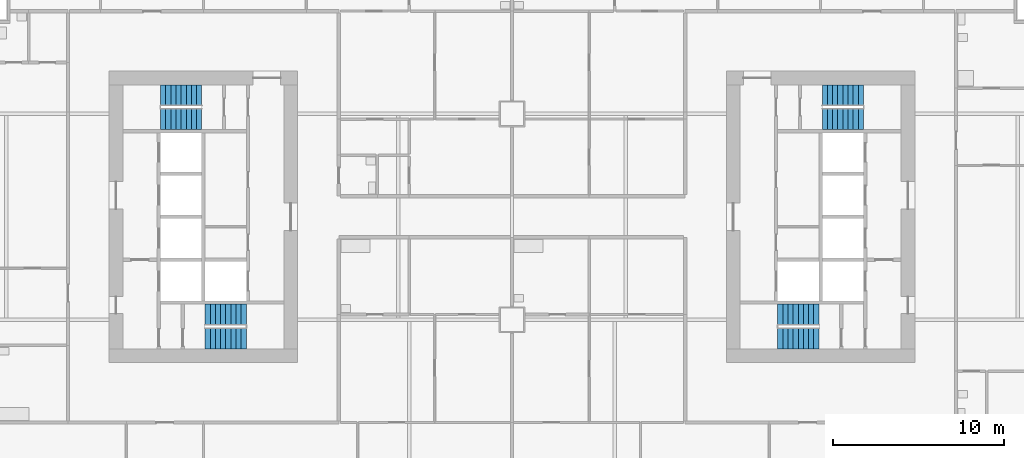
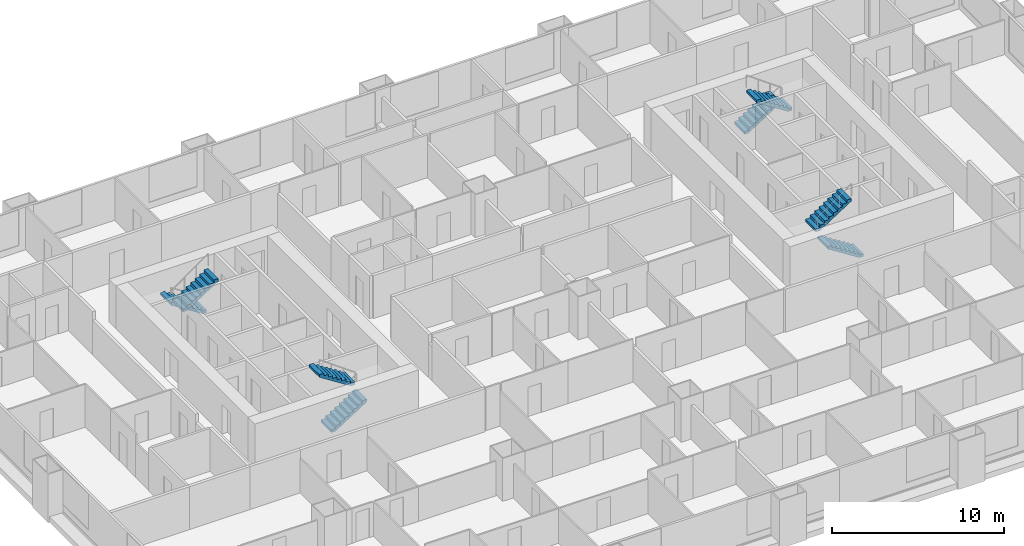
# One storey, part 11 of 13: 8 stair flights, 4 elements without a shape of their own.
"""IFC4 building model written with IfcOpenShell, lengths in metres."""

import ifcopenshell
import ifcopenshell.guid

model = None  # the IFC model being written
_history = None  # IfcOwnerHistory: only IFC2X3 demands one
_inside = {}  # id of a spatial element -> (the spatial element, [elements in it])
_under = {}  # id of a project, library or spatial element -> (it, [spatial elements below it])
_declared = {}  # id of a project -> (the project, [libraries it declares])
_typed = {}  # id of a type object -> (the type object, [elements of that type])
_made_of = {}  # id of a material, layer set ... -> (it, [elements and type objects made of it])


def new_model(schema):
    """Start an empty IFC model of exactly this schema.

    Asked for "IFC4X3", IfcOpenShell would pick the latest addendum, in which some entities
    have other attributes; the version numbers below select the first issue.
    IFC2X3 requires an IfcOwnerHistory on every rooted entity: one is made here for all.
    """
    global model, _history
    if schema == "IFC4X3":
        model = ifcopenshell.file(schema_version=(4, 3, 0, 0))
    else:
        model = ifcopenshell.file(schema=schema)
    _inside.clear()
    _under.clear()
    _declared.clear()
    _typed.clear()
    _made_of.clear()
    _history = None
    if model.schema == "IFC2X3":
        org = make("IfcOrganization", Name="unknown")
        user = make(
            "IfcPersonAndOrganization",
            ThePerson=make("IfcPerson", FamilyName="unknown"),
            TheOrganization=org,
        )
        app = make(
            "IfcApplication",
            ApplicationDeveloper=org,
            Version="unknown",
            ApplicationFullName="unknown",
            ApplicationIdentifier="unknown",
        )
        _history = make(
            "IfcOwnerHistory",
            OwningUser=user,
            OwningApplication=app,
            ChangeAction="ADDED",
            CreationDate=0,
        )
    return model


def make(cls, **values):
    """One entity of the class cls with the attributes given. An attribute that is None is left unset."""
    return model.create_entity(
        cls, **{name: value for name, value in values.items() if value is not None}
    )


def rooted(cls, **values):
    """An entity with a GlobalId (a new one), such as an element, a storey or a relation."""
    return make(cls, GlobalId=ifcopenshell.guid.new(), OwnerHistory=_history, **values)


def si_unit(unit_type, name, prefix=None):
    """IfcSIUnit, for example si_unit("LENGTHUNIT", "METRE", prefix="MILLI")."""
    return make("IfcSIUnit", UnitType=unit_type, Prefix=prefix, Name=name)


def assignment(units):
    """IfcUnitAssignment: the units of a project."""
    return None if units is None else make("IfcUnitAssignment", Units=units)


def point(xyz):
    """IfcCartesianPoint."""
    return None if xyz is None else make("IfcCartesianPoint", Coordinates=xyz)


def direction(xyz):
    """IfcDirection."""
    return None if xyz is None else make("IfcDirection", DirectionRatios=xyz)


def frame(location, z_axis=None, x_axis=None):
    """IfcAxis2Placement3D, a coordinate frame: its origin and axes. An axis left out is left unset."""
    return make(
        "IfcAxis2Placement3D",
        Location=point(location),
        Axis=direction(z_axis),
        RefDirection=direction(x_axis),
    )


def origin():
    """The frame at (0, 0, 0) with its axes left unset."""
    return frame((0.0, 0.0, 0.0))


def place(relative_to, where):
    """IfcLocalPlacement: puts the frame where relative to a parent placement (None: the world)."""
    return make(
        "IfcLocalPlacement", PlacementRelTo=relative_to, RelativePlacement=where
    )


def context(
    kind, dimensions, precision=None, world=None, true_north=None, identifier=None
):
    """IfcGeometricRepresentationContext, for example the 3D "Model" context."""
    return make(
        "IfcGeometricRepresentationContext",
        ContextIdentifier=identifier,
        ContextType=kind,
        CoordinateSpaceDimension=dimensions,
        Precision=precision,
        WorldCoordinateSystem=world,
        TrueNorth=true_north,
    )


def subcontext(parent, identifier, kind, view, scale=None):
    """IfcGeometricRepresentationSubContext, for example "Body" below "Model"."""
    return make(
        "IfcGeometricRepresentationSubContext",
        ContextIdentifier=identifier,
        ContextType=kind,
        ParentContext=parent,
        TargetScale=scale,
        TargetView=view,
    )


def project(units=None, contexts=None):
    """IfcProject with its units and contexts."""
    return rooted(
        "IfcProject",
        Name="project",
        RepresentationContexts=contexts,
        UnitsInContext=assignment(units),
    )


def spatial(cls, under=None, at=None, **own):
    """A site, building, storey or space (cls), placed at a placement, below another one or the project."""
    s = rooted(cls, ObjectPlacement=at, **own)
    if under is not None:
        _under.setdefault(under.id(), (under, []))[1].append(s)
    return s


def polyline(points):
    """IfcPolyline through the points."""
    return make("IfcPolyline", Points=[point(p) for p in points])


def outline(outer, holes=None, kind="AREA"):
    """IfcArbitraryClosedProfileDef: a profile drawn as a closed curve; with holes, ...WithVoids."""
    if holes is None:
        return make("IfcArbitraryClosedProfileDef", ProfileType=kind, OuterCurve=outer)
    return make(
        "IfcArbitraryProfileDefWithVoids",
        ProfileType=kind,
        OuterCurve=outer,
        InnerCurves=holes,
    )


def extrude(swept, where, along, depth):
    """IfcExtrudedAreaSolid: the profile swept, set in the frame where, extruded along a direction by depth."""
    return make(
        "IfcExtrudedAreaSolid",
        SweptArea=swept,
        Position=where,
        ExtrudedDirection=direction(along),
        Depth=depth,
    )


def shape(context_of_items, identifier, shape_type, items):
    """IfcShapeRepresentation: the items that make up one representation, for example the "Body"."""
    return make(
        "IfcShapeRepresentation",
        ContextOfItems=context_of_items,
        RepresentationIdentifier=identifier,
        RepresentationType=shape_type,
        Items=items,
    )


def material(Name=None, Category=None):
    """IfcMaterial."""
    return make("IfcMaterial", Name=Name, Category=Category)


def made_of(thing, what):
    """Note that an element or type object is made of a material, layer set ...; save() writes the relation."""
    if what is not None:
        _made_of.setdefault(what.id(), (what, []))[1].append(thing)
    return thing


def type_object(cls, material=None, **own):
    """A type object (cls), such as IfcWallType, which elements share."""
    return made_of(rooted(cls, **own), material)


def element(
    cls,
    number,
    at=None,
    inside=None,
    cuts=None,
    type_object=None,
    material=None,
    context=None,
    identifier="Body",
    shape_type=None,
    held_by="IfcProductDefinitionShape",
    body=None,
    shapes=None,
    **own,
):
    """One element of the class cls, such as IfcWall. Its Tag is "e" and its number.

    at: its placement. inside: the storey or other place that contains it. cuts: it is an
    opening in that element (IfcRelVoidsElement). A single representation is given by context,
    identifier, shape_type and body (its items); several are given by shapes. held_by: the class
    of the entity that holds the representations. save() writes the other relations.
    """
    e = rooted(cls, Tag="e%d" % number, ObjectPlacement=at, **own)
    if body is not None:
        shapes = [shape(context, identifier, shape_type, body)]
    if shapes is not None:
        e.Representation = make(held_by, Representations=shapes)
    if inside is not None:
        _inside.setdefault(inside.id(), (inside, []))[1].append(e)
    if cuts is not None:
        rooted(
            "IfcRelVoidsElement", RelatingBuildingElement=cuts, RelatedOpeningElement=e
        )
    if type_object is not None:
        _typed.setdefault(type_object.id(), (type_object, []))[1].append(e)
    return made_of(e, material)


def aggregate(whole, parts):
    """IfcRelAggregates: a whole, such as a stair, and the parts it consists of."""
    return rooted("IfcRelAggregates", RelatingObject=whole, RelatedObjects=parts)


def save(model, path):
    """Write the relations noted so far, then the file.

    IfcRelAggregates (storeys below a building ...), IfcRelContainedInSpatialStructure (elements
    in a storey), IfcRelDefinesByType, IfcRelAssociatesMaterial and IfcRelDeclares: one each for
    every whole, place, type object, material and project.
    """
    for whole, parts in _under.values():
        aggregate(whole, parts)
    for where, things in _inside.values():
        rooted(
            "IfcRelContainedInSpatialStructure",
            RelatedElements=things,
            RelatingStructure=where,
        )
    for kind, things in _typed.values():
        rooted("IfcRelDefinesByType", RelatedObjects=things, RelatingType=kind)
    for what, things in _made_of.values():
        rooted("IfcRelAssociatesMaterial", RelatedObjects=things, RelatingMaterial=what)
    for by, libraries in _declared.values():
        rooted("IfcRelDeclares", RelatingContext=by, RelatedDefinitions=libraries)
    model.write(path)


model = new_model("IFC4")

# Units and contexts
model_context = context("Model", 3, precision=1e-05, world=origin(), true_north=direction((0.0, 1.0)))
body_context = subcontext(model_context, "Body", "Model", "MODEL_VIEW")
ifc_project = project(units=[si_unit("LENGTHUNIT", "METRE"), si_unit("AREAUNIT", "SQUARE_METRE"), si_unit("VOLUMEUNIT", "CUBIC_METRE"), si_unit("PLANEANGLEUNIT", "RADIAN"), si_unit("MASSUNIT", "GRAM", prefix="KILO")], contexts=[model_context])

# Site, building, storey
site_placement = place(None, origin())
site = spatial("IfcSite", under=ifc_project, at=site_placement, CompositionType="ELEMENT")
building_placement = place(site_placement, origin())
building = spatial("IfcBuilding", under=site, at=building_placement, Name="Kitamizu Gate Tower and Museum", CompositionType="ELEMENT")
storey_placement = place(building_placement, frame((0.0, 0.0, 36.89990234375)))
storey = spatial("IfcBuildingStorey", under=building, at=storey_placement, Name="L07", CompositionType="ELEMENT", Elevation=36.89990234375)

# Stair, stair flights
ifc_material_1 = material(Name="Concrete Fc42", Category="concrete")
stair_type = type_object("IfcStairType", Name="Exit stair 1200 wide 192 rise 300 going", PredefinedType="HALF_TURN_STAIR", material=ifc_material_1)
stair_1_placement = place(storey_placement, origin())
stair_1 = element("IfcStair", 1, at=stair_1_placement, inside=storey, type_object=stair_type, Name="Exit stair ST1", PredefinedType="HALF_TURN_STAIR")
ifc_material_2 = material(Name="Concrete Fc42", Category="concrete")
stair_flight_type = type_object("IfcStairFlightType", Name="Stair flight 1200 wide 192 rise 300 going", PredefinedType="STRAIGHT", material=ifc_material_2)
stair_flight_1_placement = place(storey_placement, frame((18.10009765625, 22.89990234375, 0.0), z_axis=(0.0, 0.0, 1.0), x_axis=(1.0, 0.0, 0.0)))
stair_flight_1 = element("IfcStairFlight", 2, at=stair_flight_1_placement, type_object=stair_flight_type, Name="ST1 flight 1", NumberOfRisers=9, NumberOfTreads=8, PredefinedType="STRAIGHT", RiserHeight=0.191666667, TreadLength=0.3, context=body_context, shape_type="SweptSolid", body=[
    extrude(outline(polyline([(0.0, 0.0), (0.0, 0.191650390625), (0.300048828125, 0.191650390625), (0.300048828125, 0.38330078125), (0.60009765625, 0.38330078125), (0.60009765625, 0.574951171875), (0.89990234375, 0.574951171875), (0.89990234375, 0.7666015625), (1.199951171875, 0.7666015625), (1.199951171875, 0.958251953125), (1.5, 0.958251953125), (1.5, 1.14990234375), (1.800048828125, 1.14990234375), (1.800048828125, 1.341552734375), (2.10009765625, 1.341552734375), (2.10009765625, 1.533447265625), (2.39990234375, 1.533447265625), (2.39990234375, 1.72509765625), (2.39990234375, 1.35546875), (0.2783203125, 0.0), (0.0, 0.0)])), frame((0.0, 0.60009765625, 0.0), z_axis=(0.0, -1.0, 0.0), x_axis=(1.0, 0.0, 0.0)), (0.0, 0.0, 1.0), 1.199951171875),
])
stair_flight_2_placement = place(storey_placement, frame((20.5, 24.300048828125, 1.72509765625), z_axis=(0.0, 0.0, 1.0), x_axis=(-1.0, 0.0, 0.0)))
stair_flight_2 = element("IfcStairFlight", 3, at=stair_flight_2_placement, type_object=stair_flight_type, Name="ST1 flight 2", NumberOfRisers=9, NumberOfTreads=8, PredefinedType="STRAIGHT", RiserHeight=0.191666667, TreadLength=0.3, context=body_context, shape_type="SweptSolid", body=[
    extrude(outline(polyline([(0.0, 0.0), (0.0, 0.191650390625), (0.300048828125, 0.191650390625), (0.300048828125, 0.38330078125), (0.60009765625, 0.38330078125), (0.60009765625, 0.574951171875), (0.89990234375, 0.574951171875), (0.89990234375, 0.7666015625), (1.199951171875, 0.7666015625), (1.199951171875, 0.958251953125), (1.5, 0.958251953125), (1.5, 1.14990234375), (1.800048828125, 1.14990234375), (1.800048828125, 1.341552734375), (2.10009765625, 1.341552734375), (2.10009765625, 1.533447265625), (2.39990234375, 1.533447265625), (2.39990234375, 1.72509765625), (2.39990234375, 1.35546875), (0.2783203125, 0.0), (0.0, 0.0)])), frame((0.0, 0.60009765625, 0.0), z_axis=(0.0, -1.0, 0.0), x_axis=(1.0, 0.0, 0.0)), (0.0, 0.0, 1.0), 1.199951171875),
])
aggregate(stair_1, [stair_flight_1, stair_flight_2])

stair_2_placement = place(storey_placement, origin())
stair_2 = element("IfcStair", 4, at=stair_2_placement, inside=storey, type_object=stair_type, Name="Exit stair ST2", PredefinedType="HALF_TURN_STAIR")
stair_flight_3_placement = place(storey_placement, frame((17.89990234375, 37.10009765625, 0.0), z_axis=(0.0, 0.0, 1.0), x_axis=(-1.0, 0.0, 0.0)))
stair_flight_3 = element("IfcStairFlight", 5, at=stair_flight_3_placement, type_object=stair_flight_type, Name="ST2 flight 1", NumberOfRisers=9, NumberOfTreads=8, PredefinedType="STRAIGHT", RiserHeight=0.191666667, TreadLength=0.3, context=body_context, shape_type="SweptSolid", body=[
    extrude(outline(polyline([(0.0, 0.0), (0.0, 0.191650390625), (0.300048828125, 0.191650390625), (0.300048828125, 0.38330078125), (0.60009765625, 0.38330078125), (0.60009765625, 0.574951171875), (0.89990234375, 0.574951171875), (0.89990234375, 0.7666015625), (1.199951171875, 0.7666015625), (1.199951171875, 0.958251953125), (1.5, 0.958251953125), (1.5, 1.14990234375), (1.800048828125, 1.14990234375), (1.800048828125, 1.341552734375), (2.10009765625, 1.341552734375), (2.10009765625, 1.533447265625), (2.39990234375, 1.533447265625), (2.39990234375, 1.72509765625), (2.39990234375, 1.35546875), (0.2783203125, 0.0), (0.0, 0.0)])), frame((0.0, 0.60009765625, 0.0), z_axis=(0.0, -1.0, 0.0), x_axis=(1.0, 0.0, 0.0)), (0.0, 0.0, 1.0), 1.199951171875),
])
stair_flight_4_placement = place(storey_placement, frame((15.5, 35.699951171875, 1.72509765625), z_axis=(0.0, 0.0, 1.0), x_axis=(1.0, 0.0, 0.0)))
stair_flight_4 = element("IfcStairFlight", 6, at=stair_flight_4_placement, type_object=stair_flight_type, Name="ST2 flight 2", NumberOfRisers=9, NumberOfTreads=8, PredefinedType="STRAIGHT", RiserHeight=0.191666667, TreadLength=0.3, context=body_context, shape_type="SweptSolid", body=[
    extrude(outline(polyline([(0.0, 0.0), (0.0, 0.191650390625), (0.300048828125, 0.191650390625), (0.300048828125, 0.38330078125), (0.60009765625, 0.38330078125), (0.60009765625, 0.574951171875), (0.89990234375, 0.574951171875), (0.89990234375, 0.7666015625), (1.199951171875, 0.7666015625), (1.199951171875, 0.958251953125), (1.5, 0.958251953125), (1.5, 1.14990234375), (1.800048828125, 1.14990234375), (1.800048828125, 1.341552734375), (2.10009765625, 1.341552734375), (2.10009765625, 1.533447265625), (2.39990234375, 1.533447265625), (2.39990234375, 1.72509765625), (2.39990234375, 1.35546875), (0.2783203125, 0.0), (0.0, 0.0)])), frame((0.0, 0.60009765625, 0.0), z_axis=(0.0, -1.0, 0.0), x_axis=(1.0, 0.0, 0.0)), (0.0, 0.0, 1.0), 1.199951171875),
])
aggregate(stair_2, [stair_flight_3, stair_flight_4])

stair_3_placement = place(storey_placement, origin())
stair_3 = element("IfcStair", 7, at=stair_3_placement, inside=storey, type_object=stair_type, Name="Exit stair ST3", PredefinedType="HALF_TURN_STAIR")
stair_flight_5_placement = place(storey_placement, frame((53.89990234375, 22.89990234375, 0.0), z_axis=(0.0, 0.0, 1.0), x_axis=(-1.0, 0.0, 0.0)))
stair_flight_5 = element("IfcStairFlight", 8, at=stair_flight_5_placement, type_object=stair_flight_type, Name="ST3 flight 1", NumberOfRisers=9, NumberOfTreads=8, PredefinedType="STRAIGHT", RiserHeight=0.191666667, TreadLength=0.3, context=body_context, shape_type="SweptSolid", body=[
    extrude(outline(polyline([(0.0, 0.0), (0.0, 0.191650390625), (0.300048828125, 0.191650390625), (0.300048828125, 0.38330078125), (0.60009765625, 0.38330078125), (0.60009765625, 0.574951171875), (0.89990234375, 0.574951171875), (0.89990234375, 0.7666015625), (1.199951171875, 0.7666015625), (1.199951171875, 0.958251953125), (1.5, 0.958251953125), (1.5, 1.14990234375), (1.800048828125, 1.14990234375), (1.800048828125, 1.341552734375), (2.10009765625, 1.341552734375), (2.10009765625, 1.533447265625), (2.39990234375, 1.533447265625), (2.39990234375, 1.72509765625), (2.39990234375, 1.35546875), (0.2783203125, 0.0), (0.0, 0.0)])), frame((0.0, 0.60009765625, 0.0), z_axis=(0.0, -1.0, 0.0), x_axis=(1.0, 0.0, 0.0)), (0.0, 0.0, 1.0), 1.199951171875),
])
stair_flight_6_placement = place(storey_placement, frame((51.5, 24.300048828125, 1.72509765625), z_axis=(0.0, 0.0, 1.0), x_axis=(1.0, 0.0, 0.0)))
stair_flight_6 = element("IfcStairFlight", 9, at=stair_flight_6_placement, type_object=stair_flight_type, Name="ST3 flight 2", NumberOfRisers=9, NumberOfTreads=8, PredefinedType="STRAIGHT", RiserHeight=0.191666667, TreadLength=0.3, context=body_context, shape_type="SweptSolid", body=[
    extrude(outline(polyline([(0.0, 0.0), (0.0, 0.191650390625), (0.300048828125, 0.191650390625), (0.300048828125, 0.38330078125), (0.60009765625, 0.38330078125), (0.60009765625, 0.574951171875), (0.89990234375, 0.574951171875), (0.89990234375, 0.7666015625), (1.199951171875, 0.7666015625), (1.199951171875, 0.958251953125), (1.5, 0.958251953125), (1.5, 1.14990234375), (1.800048828125, 1.14990234375), (1.800048828125, 1.341552734375), (2.10009765625, 1.341552734375), (2.10009765625, 1.533447265625), (2.39990234375, 1.533447265625), (2.39990234375, 1.72509765625), (2.39990234375, 1.35546875), (0.2783203125, 0.0), (0.0, 0.0)])), frame((0.0, 0.60009765625, 0.0), z_axis=(0.0, -1.0, 0.0), x_axis=(1.0, 0.0, 0.0)), (0.0, 0.0, 1.0), 1.199951171875),
])
aggregate(stair_3, [stair_flight_5, stair_flight_6])

stair_4_placement = place(storey_placement, origin())
stair_4 = element("IfcStair", 10, at=stair_4_placement, inside=storey, type_object=stair_type, Name="Exit stair ST4", PredefinedType="HALF_TURN_STAIR")
stair_flight_7_placement = place(storey_placement, frame((54.10009765625, 37.10009765625, 0.0), z_axis=(0.0, 0.0, 1.0), x_axis=(1.0, 0.0, 0.0)))
stair_flight_7 = element("IfcStairFlight", 11, at=stair_flight_7_placement, type_object=stair_flight_type, Name="ST4 flight 1", NumberOfRisers=9, NumberOfTreads=8, PredefinedType="STRAIGHT", RiserHeight=0.191666667, TreadLength=0.3, context=body_context, shape_type="SweptSolid", body=[
    extrude(outline(polyline([(0.0, 0.0), (0.0, 0.191650390625), (0.300048828125, 0.191650390625), (0.300048828125, 0.38330078125), (0.60009765625, 0.38330078125), (0.60009765625, 0.574951171875), (0.89990234375, 0.574951171875), (0.89990234375, 0.7666015625), (1.199951171875, 0.7666015625), (1.199951171875, 0.958251953125), (1.5, 0.958251953125), (1.5, 1.14990234375), (1.800048828125, 1.14990234375), (1.800048828125, 1.341552734375), (2.10009765625, 1.341552734375), (2.10009765625, 1.533447265625), (2.39990234375, 1.533447265625), (2.39990234375, 1.72509765625), (2.39990234375, 1.35546875), (0.2783203125, 0.0), (0.0, 0.0)])), frame((0.0, 0.60009765625, 0.0), z_axis=(0.0, -1.0, 0.0), x_axis=(1.0, 0.0, 0.0)), (0.0, 0.0, 1.0), 1.199951171875),
])
stair_flight_8_placement = place(storey_placement, frame((56.5, 35.699951171875, 1.72509765625), z_axis=(0.0, 0.0, 1.0), x_axis=(-1.0, 0.0, 0.0)))
stair_flight_8 = element("IfcStairFlight", 12, at=stair_flight_8_placement, type_object=stair_flight_type, Name="ST4 flight 2", NumberOfRisers=9, NumberOfTreads=8, PredefinedType="STRAIGHT", RiserHeight=0.191666667, TreadLength=0.3, context=body_context, shape_type="SweptSolid", body=[
    extrude(outline(polyline([(0.0, 0.0), (0.0, 0.191650390625), (0.300048828125, 0.191650390625), (0.300048828125, 0.38330078125), (0.60009765625, 0.38330078125), (0.60009765625, 0.574951171875), (0.89990234375, 0.574951171875), (0.89990234375, 0.7666015625), (1.199951171875, 0.7666015625), (1.199951171875, 0.958251953125), (1.5, 0.958251953125), (1.5, 1.14990234375), (1.800048828125, 1.14990234375), (1.800048828125, 1.341552734375), (2.10009765625, 1.341552734375), (2.10009765625, 1.533447265625), (2.39990234375, 1.533447265625), (2.39990234375, 1.72509765625), (2.39990234375, 1.35546875), (0.2783203125, 0.0), (0.0, 0.0)])), frame((0.0, 0.60009765625, 0.0), z_axis=(0.0, -1.0, 0.0), x_axis=(1.0, 0.0, 0.0)), (0.0, 0.0, 1.0), 1.199951171875),
])
aggregate(stair_4, [stair_flight_7, stair_flight_8])

save(model, "model.ifc")
